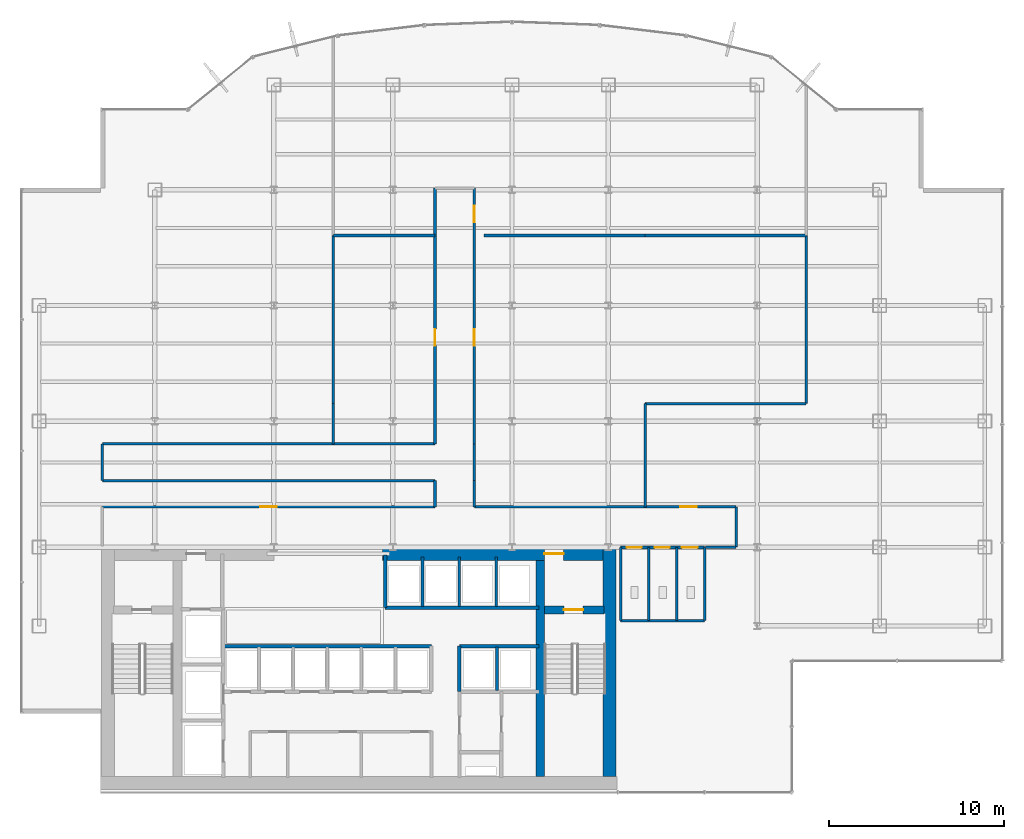
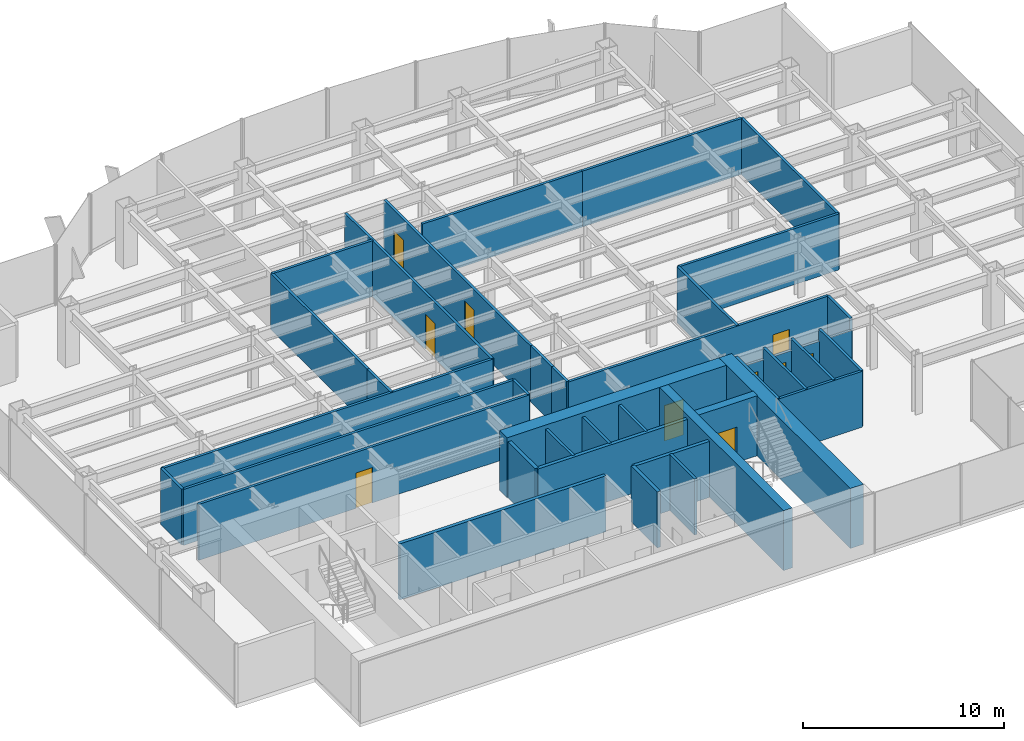
# One storey, part 22 of 26: 39 walls, 10 doors, 10 openings.
"""IFC4 building model written with IfcOpenShell, lengths in metres."""

from ifc_helpers import new_model, si_unit, derived_unit, direction, frame, frame_2d, origin, place, context, subcontext, project, spatial, rectangle, extrude, source, transform, mapped, material, layer, layer_set, type_object, element, fill, save


model = new_model("IFC4")

# Units and contexts
model_context = context("Model", 3, precision=1e-05, world=origin(), true_north=direction((0.0, 1.0)))
body_context = subcontext(model_context, "Body", "Model", "MODEL_VIEW")
ifc_project = project(units=[si_unit("LENGTHUNIT", "METRE"), si_unit("AREAUNIT", "SQUARE_METRE"), si_unit("VOLUMEUNIT", "CUBIC_METRE"), si_unit("PLANEANGLEUNIT", "RADIAN"), si_unit("MASSUNIT", "GRAM", prefix="KILO"), derived_unit("THERMALTRANSMITTANCEUNIT", [(si_unit("POWERUNIT", "WATT"), 1), (si_unit("LENGTHUNIT", "METRE"), -2), (si_unit("THERMODYNAMICTEMPERATUREUNIT", "KELVIN"), -1)])], contexts=[model_context])

# Site, building, storey
site_placement = place(None, origin())
site = spatial("IfcSite", under=ifc_project, at=site_placement, CompositionType="ELEMENT")
building_placement = place(site_placement, origin())
building = spatial("IfcBuilding", under=site, at=building_placement, Name="Skarnbrae Concourse Arena and Tower", CompositionType="ELEMENT")
storey_placement = place(building_placement, frame((0.0, 0.0, 114.199951171875)))
storey = spatial("IfcBuildingStorey", under=building, at=storey_placement, Name="L28", CompositionType="ELEMENT", Elevation=114.199951171875)

# Wall, opening, door
ifc_material_1 = material(Name="Concrete 50 MPa (C50/60)", Category="concrete")
ifc_layer_1 = layer(ifc_material_1, 0.449951171875)
ifc_layer_set_1 = layer_set([ifc_layer_1], Name="Concrete 50 MPa (C50/60)")
wall_type_1 = type_object("IfcWallType", Name="WALL-CORE-450-C50", PredefinedType="SHEAR", material=ifc_layer_set_1)
shared_shape_1 = source(origin(), body_context, "Body", "SweptSolid", [
    extrude(rectangle(XDim=3.389892578125, YDim=0.449951171875, at=frame_2d((1.69482421875, 0.0))), origin(), (0.0, 0.0, 1.0), 3.650146484375),
])
wall_1_placement = place(storey_placement, frame((29.860107421875, 10.419921875, 0.0), z_axis=(0.0, 0.0, 1.0), x_axis=(1.0, 0.0, 0.0)))
wall_1 = element("IfcWall", 1, at=wall_1_placement, inside=storey, type_object=wall_type_1, Name="L28 Rear core shear wall CW-ST2-N", PredefinedType="SHEAR", context=body_context, shape_type="MappedRepresentation", body=[
    mapped(shared_shape_1, transform((0.0, 0.0, 0.0))),
])
opening_1_placement = place(wall_1_placement, frame((1.10009765625, 0.0, 0.0)))
opening_1 = element("IfcOpeningElement", 2, at=opening_1_placement, cuts=wall_1, Name="Opening DT-03", PredefinedType="OPENING", context=body_context, shape_type="SweptSolid", body=[
    extrude(rectangle(XDim=1.10009765625, YDim=2.14990234375, at=frame_2d((0.550048828125, 1.074951171875))), frame((0.0, 0.23486328125, 0.0), z_axis=(0.0, -1.0, 0.0), x_axis=(1.0, 0.0, 0.0)), (0.0, 0.0, 1.0), 0.469970703125),
])
ifc_material_2 = material(Name="Steel CSA G40.21 350W", Category="steel")
door_type_1 = type_object("IfcDoorType", Name="DOOR-FIRE-1100-90M", OperationType="NOTDEFINED", PredefinedType="DOOR", material=ifc_material_2)
shared_shape_2 = source(origin(), body_context, "Body", "SweptSolid", [
    extrude(rectangle(XDim=1.10009765625, YDim=2.14990234375, at=frame_2d((0.550048828125, 1.074951171875))), frame((0.0, 0.02490234375, 0.0), z_axis=(0.0, -1.0, 0.0), x_axis=(1.0, 0.0, 0.0)), (0.0, 0.0, 1.0), 0.050048828125),
])
door_1_placement = place(opening_1_placement, frame((1.10009765625, 0.0, 0.0), z_axis=(0.0, 0.0, 1.0), x_axis=(-1.0, 0.0, 0.0)))
door_1 = element("IfcDoor", 3, at=door_1_placement, inside=storey, type_object=door_type_1, Name="D-0922 Stair ST-2 Door", OperationType="SINGLE_SWING_RIGHT", OverallHeight=2.14990234375, OverallWidth=1.10009765625, PredefinedType="DOOR", context=body_context, shape_type="MappedRepresentation", body=[
    mapped(shared_shape_2, transform((0.0, 0.0, 0.0))),
])
fill(opening_1, door_1)

# Wall
ifc_material_3 = material(Name="Concrete 60 MPa (C60/75)", Category="concrete")
ifc_layer_2 = layer(ifc_material_3, 0.75)
ifc_layer_set_2 = layer_set([ifc_layer_2], Name="Concrete 60 MPa (C60/75)")
wall_type_2 = type_object("IfcWallType", Name="WALL-CORE-750-C60", PredefinedType="SHEAR", material=ifc_layer_set_2)
shared_shape_3 = source(origin(), body_context, "Body", "SweptSolid", [
    extrude(rectangle(XDim=13.10009765625, YDim=0.75, at=frame_2d((6.550048828125, 0.0))), origin(), (0.0, 0.0, 1.0), 3.650146484375),
])
wall_2_placement = place(storey_placement, frame((33.574951171875, 0.89990234375, 0.0), z_axis=(0.0, 0.0, 1.0), x_axis=(0.0, 1.0, 0.0)))
element("IfcWall", 4, at=wall_2_placement, inside=storey, type_object=wall_type_2, Name="L28 Rear core shear wall CW-E", PredefinedType="SHEAR", context=body_context, shape_type="MappedRepresentation", body=[
    mapped(shared_shape_3, transform((0.0, 0.0, 0.0))),
])

# Wall, opening, door
shared_shape_4 = source(origin(), body_context, "Body", "SweptSolid", [
    extrude(rectangle(XDim=12.599853515625, YDim=0.75, at=frame_2d((6.2998046875, 0.0))), origin(), (0.0, 0.0, 1.0), 3.650146484375),
])
wall_3_placement = place(storey_placement, frame((20.60009765625, 13.625, 0.0), z_axis=(0.0, 0.0, 1.0), x_axis=(1.0, 0.0, 0.0)))
wall_3 = element("IfcWall", 5, at=wall_3_placement, inside=storey, type_object=wall_type_2, Name="L28 Rear core shear wall CW-NE", PredefinedType="SHEAR", context=body_context, shape_type="MappedRepresentation", body=[
    mapped(shared_shape_4, transform((0.0, 0.0, 0.0))),
])
opening_2_placement = place(wall_3_placement, frame((9.25, 0.0, 0.0)))
opening_2 = element("IfcOpeningElement", 6, at=opening_2_placement, cuts=wall_3, Name="Opening DT-03", PredefinedType="OPENING", context=body_context, shape_type="SweptSolid", body=[
    extrude(rectangle(XDim=1.10009765625, YDim=2.14990234375, at=frame_2d((0.550048828125, 1.074951171875))), frame((0.0, 0.385009765625, 0.0), z_axis=(0.0, -1.0, 0.0), x_axis=(1.0, 0.0, 0.0)), (0.0, 0.0, 1.0), 0.77001953125),
])
door_2_placement = place(opening_2_placement, origin())
door_2 = element("IfcDoor", 7, at=door_2_placement, inside=storey, type_object=door_type_1, Name="D-0924 Stair ST-2 Vestibule Door", OperationType="SINGLE_SWING_LEFT", OverallHeight=2.14990234375, OverallWidth=1.10009765625, PredefinedType="DOOR", context=body_context, shape_type="MappedRepresentation", body=[
    mapped(shared_shape_2, transform((0.0, 0.0, 0.0))),
])
fill(opening_2, door_2)

# Walls
ifc_layer_3 = layer(ifc_material_3, 0.5)
ifc_layer_set_3 = layer_set([ifc_layer_3], Name="Concrete 60 MPa (C60/75)")
wall_type_3 = type_object("IfcWallType", Name="WALL-CORE-500-C60", PredefinedType="SHEAR", material=ifc_layer_set_3)
shared_shape_5 = source(origin(), body_context, "Body", "SweptSolid", [
    extrude(rectangle(XDim=12.35009765625, YDim=0.5, at=frame_2d((6.175048828125, 0.0))), origin(), (0.0, 0.0, 1.0), 3.650146484375),
])
wall_4_placement = place(storey_placement, frame((29.610107421875, 0.89990234375, 0.0), z_axis=(0.0, 0.0, 1.0), x_axis=(0.0, 1.0, 0.0)))
element("IfcWall", 8, at=wall_4_placement, inside=storey, type_object=wall_type_3, Name="L28 Rear core shear wall CW-WEB-E", PredefinedType="SHEAR", context=body_context, shape_type="MappedRepresentation", body=[
    mapped(shared_shape_5, transform((0.0, 0.0, 0.0))),
])
ifc_material_4 = material(Name="Gypsum board on cold-formed steel studs", Category="steel")
ifc_layer_4 = layer(ifc_material_4, 0.199951171875)
ifc_layer_set_4 = layer_set([ifc_layer_4], Name="Gypsum board on cold-formed steel studs")
wall_type_4 = type_object("IfcWallType", Name="WALL-PART-200-2HR", PredefinedType="PARTITIONING", material=ifc_layer_set_4)
shared_shape_6 = source(origin(), body_context, "Body", "SweptSolid", [
    extrude(rectangle(XDim=11.849853515625, YDim=0.199951171875, at=frame_2d((5.9248046875, 0.0))), origin(), (0.0, 0.0, 1.0), 3.400146484375),
])
wall_5_placement = place(storey_placement, frame((11.550048828125, 8.35009765625, 0.0), z_axis=(0.0, 0.0, 1.0), x_axis=(1.0, 0.0, 0.0)))
element("IfcWall", 9, at=wall_5_placement, inside=storey, type_object=wall_type_4, Name="L28 Interior partition wall W-L28-B2-N", PredefinedType="PARTITIONING", context=body_context, shape_type="MappedRepresentation", body=[
    mapped(shared_shape_6, transform((0.0, 0.0, 0.0))),
])
shared_shape_7 = source(origin(), body_context, "Body", "SweptSolid", [
    extrude(rectangle(XDim=2.60009765625, YDim=0.199951171875, at=frame_2d((1.300048828125, 0.0))), origin(), (0.0, 0.0, 1.0), 3.400146484375),
])
wall_6_placement = place(storey_placement, frame((25.0, 5.75, 0.0), z_axis=(0.0, 0.0, 1.0), x_axis=(0.0, 1.0, 0.0)))
element("IfcWall", 10, at=wall_6_placement, inside=storey, type_object=wall_type_4, Name="L28 Interior partition wall W-L28-B3S-W", PredefinedType="PARTITIONING", context=body_context, shape_type="MappedRepresentation", body=[
    mapped(shared_shape_7, transform((0.0, 0.0, 0.0))),
])
ifc_layer_5 = layer(ifc_material_4, 0.14990234375)
ifc_layer_set_5 = layer_set([ifc_layer_5], Name="Gypsum board on cold-formed steel studs")
wall_type_5 = type_object("IfcWallType", Name="WALL-PART-150", PredefinedType="PARTITIONING", material=ifc_layer_set_5)
shared_shape_8 = source(origin(), body_context, "Body", "SweptSolid", [
    extrude(rectangle(XDim=2.5, YDim=0.14990234375, at=frame_2d((1.25, 0.0))), origin(), (0.0, 0.0, 1.0), 3.400146484375),
])
wall_7_placement = place(storey_placement, frame((27.139892578125, 5.800048828125, 0.0), z_axis=(0.0, 0.0, 1.0), x_axis=(0.0, 1.0, 0.0)))
element("IfcWall", 11, at=wall_7_placement, inside=storey, type_object=wall_type_5, Name="L28 Interior partition wall W-L28-B3S-P1", PredefinedType="PARTITIONING", context=body_context, shape_type="MappedRepresentation", body=[
    mapped(shared_shape_8, transform((0.0, 0.0, 0.0))),
])
shared_shape_9 = source(origin(), body_context, "Body", "SweptSolid", [
    extrude(rectangle(XDim=8.800048828125, YDim=0.199951171875, at=frame_2d((4.39990234375, 0.0))), origin(), (0.0, 0.0, 1.0), 3.400146484375),
])
wall_8_placement = place(storey_placement, frame((20.75, 10.550048828125, 0.0), z_axis=(0.0, 0.0, 1.0), x_axis=(1.0, 0.0, 0.0)))
element("IfcWall", 12, at=wall_8_placement, inside=storey, type_object=wall_type_4, Name="L28 Interior partition wall W-L28-B3N-S", PredefinedType="PARTITIONING", context=body_context, shape_type="MappedRepresentation", body=[
    mapped(shared_shape_9, transform((0.0, 0.0, 0.0))),
])
shared_shape_10 = source(origin(), body_context, "Body", "SweptSolid", [
    extrude(rectangle(XDim=3.0, YDim=0.199951171875, at=frame_2d((1.5, 0.0))), origin(), (0.0, 0.0, 1.0), 3.400146484375),
])
wall_9_placement = place(storey_placement, frame((20.75, 10.550048828125, 0.0), z_axis=(0.0, 0.0, 1.0), x_axis=(0.0, 1.0, 0.0)))
element("IfcWall", 13, at=wall_9_placement, inside=storey, type_object=wall_type_4, Name="L28 Interior partition wall W-L28-B3N-W", PredefinedType="PARTITIONING", context=body_context, shape_type="MappedRepresentation", body=[
    mapped(shared_shape_10, transform((0.0, 0.0, 0.0))),
])
shared_shape_11 = source(origin(), body_context, "Body", "SweptSolid", [
    extrude(rectangle(XDim=2.849853515625, YDim=0.14990234375, at=frame_2d((1.4248046875, 0.0))), origin(), (0.0, 0.0, 1.0), 3.400146484375),
])
for number, where, z_axis, x_axis, name in (
    (14, (22.889892578125, 10.60009765625, 0.0), (0.0, 0.0, 1.0), (0.0, 1.0, 0.0), "L28 Interior partition wall W-L28-B3N-P1"),
    (15, (24.989990234375, 10.60009765625, 0.0), (0.0, 0.0, 1.0), (0.0, 1.0, 0.0), "L28 Interior partition wall W-L28-B3N-P2"),
    (16, (27.090087890625, 10.60009765625, 0.0), (0.0, 0.0, 1.0), (0.0, 1.0, 0.0), "L28 Interior partition wall W-L28-B3N-P3"),
):
    element("IfcWall", number, at=place(storey_placement, frame(where, z_axis=z_axis, x_axis=x_axis)), inside=storey, type_object=wall_type_5, Name=name, PredefinedType="PARTITIONING", context=body_context, shape_type="MappedRepresentation", body=[
        mapped(shared_shape_11, transform((0.0, 0.0, 0.0))),
    ])
shared_shape_12 = source(origin(), body_context, "Body", "SweptSolid", [
    extrude(rectangle(XDim=4.550048828125, YDim=0.199951171875, at=frame_2d((2.27490234375, 0.0))), origin(), (0.0, 0.0, 1.0), 3.400146484375),
])
wall_10_placement = place(storey_placement, frame((25.0, 8.35009765625, 0.0), z_axis=(0.0, 0.0, 1.0), x_axis=(1.0, 0.0, 0.0)))
element("IfcWall", 17, at=wall_10_placement, inside=storey, type_object=wall_type_4, Name="L28 Interior partition wall W-L28-B3S-N", PredefinedType="PARTITIONING", context=body_context, shape_type="MappedRepresentation", body=[
    mapped(shared_shape_12, transform((0.0, 0.0, 0.0))),
])
shared_shape_13 = source(origin(), body_context, "Body", "SweptSolid", [
    extrude(rectangle(XDim=4.800048828125, YDim=0.14990234375, at=frame_2d((2.39990234375, 0.0))), origin(), (0.0, 0.0, 1.0), 3.400146484375),
])
wall_11_placement = place(storey_placement, frame((34.199951171875, 9.800048828125, 0.0), z_axis=(0.0, 0.0, 1.0), x_axis=(1.0, 0.0, 0.0)))
element("IfcWall", 18, at=wall_11_placement, inside=storey, type_object=wall_type_5, Name="L28 Interior partition wall W-L28-WC-S", PredefinedType="PARTITIONING", context=body_context, shape_type="MappedRepresentation", body=[
    mapped(shared_shape_13, transform((0.0, 0.0, 0.0))),
])
shared_shape_14 = source(origin(), body_context, "Body", "SweptSolid", [
    extrude(rectangle(XDim=4.179931640625, YDim=0.14990234375, at=frame_2d((2.08984375, 0.0))), origin(), (0.0, 0.0, 1.0), 3.400146484375),
])
for number, where, z_axis, x_axis, name in (
    (19, (39.0, 9.800048828125, 0.0), (0.0, 0.0, 1.0), (0.0, 1.0, 0.0), "L28 Interior partition wall W-L28-WC-E"),
    (20, (34.199951171875, 9.800048828125, 0.0), (0.0, 0.0, 1.0), (0.0, 1.0, 0.0), "L28 Interior partition wall W-L28-WC-W"),
    (21, (35.800048828125, 9.800048828125, 0.0), (0.0, 0.0, 1.0), (0.0, 1.0, 0.0), "L28 Interior partition wall W-L28-WC-D1"),
    (22, (37.39990234375, 9.800048828125, 0.0), (0.0, 0.0, 1.0), (0.0, 1.0, 0.0), "L28 Interior partition wall W-L28-WC-D2"),
):
    element("IfcWall", number, at=place(storey_placement, frame(where, z_axis=z_axis, x_axis=x_axis)), inside=storey, type_object=wall_type_5, Name=name, PredefinedType="PARTITIONING", context=body_context, shape_type="MappedRepresentation", body=[
        mapped(shared_shape_14, transform((0.0, 0.0, 0.0))),
    ])

# Wall, openings, doors
shared_shape_15 = source(origin(), body_context, "Body", "SweptSolid", [
    extrude(rectangle(XDim=4.800048828125, YDim=0.14990234375, at=frame_2d((2.39990234375, 0.0))), origin(), (0.0, 0.0, 1.0), 2.7021484375),
])
wall_12_placement = place(storey_placement, frame((34.199951171875, 13.97998046875, 0.0), z_axis=(0.0, 0.0, 1.0), x_axis=(1.0, 0.0, 0.0)))
wall_12 = element("IfcWall", 23, at=wall_12_placement, inside=storey, type_object=wall_type_5, Name="L28 Interior partition wall W-L28-WC-N", PredefinedType="PARTITIONING", context=body_context, shape_type="MappedRepresentation", body=[
    mapped(shared_shape_15, transform((0.0, 0.0, 0.0))),
])
opening_3_placement = place(wall_12_placement, frame((0.35009765625, 0.0, 0.0)))
opening_3 = element("IfcOpeningElement", 24, at=opening_3_placement, cuts=wall_12, Name="Opening DT-06", PredefinedType="OPENING", context=body_context, shape_type="SweptSolid", body=[
    extrude(rectangle(XDim=0.85009765625, YDim=2.10009765625, at=frame_2d((0.425048828125, 1.050048828125))), frame((0.0, 0.0849609375, 0.0), z_axis=(0.0, -1.0, 0.0), x_axis=(1.0, 0.0, 0.0)), (0.0, 0.0, 1.0), 0.169921875),
])
opening_4_placement = place(wall_12_placement, frame((1.949951171875, 0.0, 0.0)))
opening_4 = element("IfcOpeningElement", 25, at=opening_4_placement, cuts=wall_12, Name="Opening DT-06", PredefinedType="OPENING", context=body_context, shape_type="SweptSolid", body=[
    extrude(rectangle(XDim=0.85009765625, YDim=2.10009765625, at=frame_2d((0.425048828125, 1.050048828125))), frame((0.0, 0.0849609375, 0.0), z_axis=(0.0, -1.0, 0.0), x_axis=(1.0, 0.0, 0.0)), (0.0, 0.0, 1.0), 0.169921875),
])
opening_5_placement = place(wall_12_placement, frame((3.5, 0.0, 0.0)))
opening_5 = element("IfcOpeningElement", 26, at=opening_5_placement, cuts=wall_12, Name="Opening DT-05", PredefinedType="OPENING", context=body_context, shape_type="SweptSolid", body=[
    extrude(rectangle(XDim=0.89990234375, YDim=2.10009765625, at=frame_2d((0.449951171875, 1.050048828125))), frame((0.0, 0.0849609375, 0.0), z_axis=(0.0, -1.0, 0.0), x_axis=(1.0, 0.0, 0.0)), (0.0, 0.0, 1.0), 0.169921875),
])
ifc_material_5 = material(Name="Architectural oak veneer timber leaf", Category="wood")
door_type_2 = type_object("IfcDoorType", Name="DOOR-INT-850", OperationType="NOTDEFINED", PredefinedType="DOOR", material=ifc_material_5)
shared_shape_16 = source(origin(), body_context, "Body", "SweptSolid", [
    extrude(rectangle(XDim=0.85009765625, YDim=2.10009765625, at=frame_2d((0.425048828125, 1.050048828125))), frame((0.0, 0.02490234375, 0.0), z_axis=(0.0, -1.0, 0.0), x_axis=(1.0, 0.0, 0.0)), (0.0, 0.0, 1.0), 0.050048828125),
])
door_3_placement = place(opening_3_placement, frame((0.85009765625, 0.0, 0.0), z_axis=(0.0, 0.0, 1.0), x_axis=(-1.0, 0.0, 0.0)))
door_3 = element("IfcDoor", 27, at=door_3_placement, inside=storey, type_object=door_type_2, Name="D-0939 Male Washroom Door", OperationType="SINGLE_SWING_LEFT", OverallHeight=2.10009765625, OverallWidth=0.85009765625, PredefinedType="DOOR", context=body_context, shape_type="MappedRepresentation", body=[
    mapped(shared_shape_16, transform((0.0, 0.0, 0.0))),
])
fill(opening_3, door_3)
door_4_placement = place(opening_4_placement, frame((0.85009765625, 0.0, 0.0), z_axis=(0.0, 0.0, 1.0), x_axis=(-1.0, 0.0, 0.0)))
door_4 = element("IfcDoor", 28, at=door_4_placement, inside=storey, type_object=door_type_2, Name="D-0940 Female Washroom Door", OperationType="SINGLE_SWING_RIGHT", OverallHeight=2.10009765625, OverallWidth=0.85009765625, PredefinedType="DOOR", context=body_context, shape_type="MappedRepresentation", body=[
    mapped(shared_shape_16, transform((0.0, 0.0, 0.0))),
])
fill(opening_4, door_4)
door_type_3 = type_object("IfcDoorType", Name="DOOR-INT-900", OperationType="NOTDEFINED", PredefinedType="DOOR", material=ifc_material_5)
shared_shape_17 = source(origin(), body_context, "Body", "SweptSolid", [
    extrude(rectangle(XDim=0.89990234375, YDim=2.10009765625, at=frame_2d((0.449951171875, 1.050048828125))), frame((0.0, 0.02490234375, 0.0), z_axis=(0.0, -1.0, 0.0), x_axis=(1.0, 0.0, 0.0)), (0.0, 0.0, 1.0), 0.050048828125),
])
door_5_placement = place(opening_5_placement, frame((0.89990234375, 0.0, 0.0), z_axis=(0.0, 0.0, 1.0), x_axis=(-1.0, 0.0, 0.0)))
door_5 = element("IfcDoor", 29, at=door_5_placement, inside=storey, type_object=door_type_3, Name="D-0941 Accessible WC Door", OperationType="SINGLE_SWING_LEFT", OverallHeight=2.10009765625, OverallWidth=0.89990234375, PredefinedType="DOOR", context=body_context, shape_type="MappedRepresentation", body=[
    mapped(shared_shape_17, transform((0.0, 0.0, 0.0))),
])
fill(opening_5, door_5)

# Walls
ifc_layer_6 = layer(ifc_material_4, 0.14990234375)
ifc_layer_set_6 = layer_set([ifc_layer_6], Name="Gypsum board on cold-formed steel studs")
wall_type_6 = type_object("IfcWallType", Name="WALL-PART-150-1HR", PredefinedType="PARTITIONING", material=ifc_layer_set_6)
shared_shape_18 = source(origin(), body_context, "Body", "SweptSolid", [
    extrude(rectangle(XDim=2.300048828125, YDim=0.14990234375, at=frame_2d((1.14990234375, 0.0))), origin(), (0.0, 0.0, 1.0), 3.400146484375),
])
wall_13_placement = place(storey_placement, frame((40.800048828125, 16.300048828125, 0.0), z_axis=(0.0, 0.0, 1.0), x_axis=(0.0, -1.0, 0.0)))
element("IfcWall", 30, at=wall_13_placement, inside=storey, type_object=wall_type_6, Name="L28 Interior partition wall W-L28-COR-13", PredefinedType="PARTITIONING", context=body_context, shape_type="MappedRepresentation", body=[
    mapped(shared_shape_18, transform((0.0, 0.0, 0.0))),
])
wall_14_placement = place(storey_placement, frame((17.800048828125, 22.199951171875, 0.0), z_axis=(0.0, 0.0, 1.0), x_axis=(0.0, -1.0, 0.0)))
element("IfcWall", 31, at=wall_14_placement, inside=storey, type_object=wall_type_5, Name="L28 Interior partition wall W-L28-DEM-16", PredefinedType="PARTITIONING", context=body_context, shape_type="MappedRepresentation", body=[
    mapped(shared_shape_18, transform((0.0, 0.0, 0.0))),
])
shared_shape_19 = source(origin(), body_context, "Body", "SweptSolid", [
    extrude(rectangle(XDim=1.75, YDim=0.14990234375, at=frame_2d((0.875, 0.0))), origin(), (0.0, 0.0, 1.0), 2.7021484375),
])
wall_15_placement = place(storey_placement, frame((40.800048828125, 14.0, 0.0), z_axis=(0.0, 0.0, 1.0), x_axis=(-1.0, 0.0, 0.0)))
element("IfcWall", 32, at=wall_15_placement, inside=storey, type_object=wall_type_6, Name="L28 Interior partition wall W-L28-COR-14", PredefinedType="PARTITIONING", context=body_context, shape_type="MappedRepresentation", body=[
    mapped(shared_shape_19, transform((0.0, 0.0, 0.0))),
])

# Wall, opening, door
shared_shape_20 = source(origin(), body_context, "Body", "SweptSolid", [
    extrude(rectangle(XDim=19.0, YDim=0.14990234375, at=frame_2d((9.5, 0.0))), origin(), (0.0, 0.0, 1.0), 3.400146484375),
])
wall_16_placement = place(storey_placement, frame((4.60009765625, 16.300048828125, 0.0), z_axis=(0.0, 0.0, 1.0), x_axis=(1.0, 0.0, 0.0)))
wall_16 = element("IfcWall", 33, at=wall_16_placement, inside=storey, type_object=wall_type_6, Name="L28 Interior partition wall W-L28-COR-02", PredefinedType="PARTITIONING", context=body_context, shape_type="MappedRepresentation", body=[
    mapped(shared_shape_20, transform((0.0, 0.0, 0.0))),
])
opening_6_placement = place(wall_16_placement, frame((9.02490234375, 0.0, 0.0)))
opening_6 = element("IfcOpeningElement", 34, at=opening_6_placement, cuts=wall_16, Name="Opening DT-04", PredefinedType="OPENING", context=body_context, shape_type="SweptSolid", body=[
    extrude(rectangle(XDim=0.949951171875, YDim=2.14990234375, at=frame_2d((0.47509765625, 1.074951171875))), frame((0.0, 0.0849609375, 0.0), z_axis=(0.0, -1.0, 0.0), x_axis=(1.0, 0.0, 0.0)), (0.0, 0.0, 1.0), 0.169921875),
])
door_type_4 = type_object("IfcDoorType", Name="DOOR-INT-950-45M", OperationType="NOTDEFINED", PredefinedType="DOOR", material=ifc_material_2)
shared_shape_21 = source(origin(), body_context, "Body", "SweptSolid", [
    extrude(rectangle(XDim=0.949951171875, YDim=2.14990234375, at=frame_2d((0.47509765625, 1.074951171875))), frame((0.0, 0.02490234375, 0.0), z_axis=(0.0, -1.0, 0.0), x_axis=(1.0, 0.0, 0.0)), (0.0, 0.0, 1.0), 0.050048828125),
])
door_6_placement = place(opening_6_placement, origin())
door_6 = element("IfcDoor", 35, at=door_6_placement, inside=storey, type_object=door_type_4, Name="D-0942 L28 Suite Door 01", OperationType="SINGLE_SWING_RIGHT", OverallHeight=2.14990234375, OverallWidth=0.949951171875, PredefinedType="DOOR", context=body_context, shape_type="MappedRepresentation", body=[
    mapped(shared_shape_21, transform((0.0, 0.0, 0.0))),
])
fill(opening_6, door_6)

# Walls
for number, where, z_axis, x_axis, name in (
    (36, (23.60009765625, 17.800048828125, 0.0), (0.0, 0.0, 1.0), (-1.0, 0.0, 0.0), "L28 Interior partition wall W-L28-COR-04"),
    (37, (4.60009765625, 19.89990234375, 0.0), (0.0, 0.0, 1.0), (1.0, 0.0, 0.0), "L28 Interior partition wall W-L28-COR-06"),
):
    element("IfcWall", number, at=place(storey_placement, frame(where, z_axis=z_axis, x_axis=x_axis)), inside=storey, type_object=wall_type_6, Name=name, PredefinedType="PARTITIONING", context=body_context, shape_type="MappedRepresentation", body=[
        mapped(shared_shape_20, transform((0.0, 0.0, 0.0))),
    ])
shared_shape_22 = source(origin(), body_context, "Body", "SweptSolid", [
    extrude(rectangle(XDim=1.5, YDim=0.14990234375, at=frame_2d((0.75, 0.0))), origin(), (0.0, 0.0, 1.0), 3.400146484375),
])
for number, where, z_axis, x_axis, name in (
    (38, (23.60009765625, 16.300048828125, 0.0), (0.0, 0.0, 1.0), (0.0, 1.0, 0.0), "L28 Interior partition wall W-L28-COR-03"),
    (39, (25.85009765625, 17.800048828125, 0.0), (0.0, 0.0, 1.0), (0.0, -1.0, 0.0), "L28 Interior partition wall W-L28-COR-11"),
):
    element("IfcWall", number, at=place(storey_placement, frame(where, z_axis=z_axis, x_axis=x_axis)), inside=storey, type_object=wall_type_6, Name=name, PredefinedType="PARTITIONING", context=body_context, shape_type="MappedRepresentation", body=[
        mapped(shared_shape_22, transform((0.0, 0.0, 0.0))),
    ])
shared_shape_23 = source(origin(), body_context, "Body", "SweptSolid", [
    extrude(rectangle(XDim=2.099853515625, YDim=0.14990234375, at=frame_2d((1.0498046875, 0.0))), origin(), (0.0, 0.0, 1.0), 3.400146484375),
])
for number, where, z_axis, x_axis, name in (
    (40, (4.60009765625, 17.800048828125, 0.0), (0.0, 0.0, 1.0), (0.0, 1.0, 0.0), "L28 Interior partition wall W-L28-COR-05"),
    (41, (25.85009765625, 19.89990234375, 0.0), (0.0, 0.0, 1.0), (0.0, -1.0, 0.0), "L28 Interior partition wall W-L28-COR-10"),
):
    element("IfcWall", number, at=place(storey_placement, frame(where, z_axis=z_axis, x_axis=x_axis)), inside=storey, type_object=wall_type_6, Name=name, PredefinedType="PARTITIONING", context=body_context, shape_type="MappedRepresentation", body=[
        mapped(shared_shape_23, transform((0.0, 0.0, 0.0))),
    ])

# Wall, opening, door
shared_shape_24 = source(origin(), body_context, "Body", "SweptSolid", [
    extrude(rectangle(XDim=14.60009765625, YDim=0.14990234375, at=frame_2d((7.300048828125, 0.0))), origin(), (0.0, 0.0, 1.0), 3.400146484375),
])
wall_17_placement = place(storey_placement, frame((23.60009765625, 19.89990234375, 0.0), z_axis=(0.0, 0.0, 1.0), x_axis=(0.0, 1.0, 0.0)))
wall_17 = element("IfcWall", 42, at=wall_17_placement, inside=storey, type_object=wall_type_6, Name="L28 Interior partition wall W-L28-COR-07", PredefinedType="PARTITIONING", context=body_context, shape_type="MappedRepresentation", body=[
    mapped(shared_shape_24, transform((0.0, 0.0, 0.0))),
])
opening_7_placement = place(wall_17_placement, frame((5.60498046875, 0.0, 0.0)))
opening_7 = element("IfcOpeningElement", 43, at=opening_7_placement, cuts=wall_17, Name="Opening DT-04", PredefinedType="OPENING", context=body_context, shape_type="SweptSolid", body=[
    extrude(rectangle(XDim=0.949951171875, YDim=2.14990234375, at=frame_2d((0.47509765625, 1.074951171875))), frame((0.0, 0.0849609375, 0.0), z_axis=(0.0, -1.0, 0.0), x_axis=(1.0, 0.0, 0.0)), (0.0, 0.0, 1.0), 0.169921875),
])
door_7_placement = place(opening_7_placement, origin())
door_7 = element("IfcDoor", 44, at=door_7_placement, inside=storey, type_object=door_type_4, Name="D-0943 L28 Suite Door 02", OperationType="SINGLE_SWING_LEFT", OverallHeight=2.14990234375, OverallWidth=0.949951171875, PredefinedType="DOOR", context=body_context, shape_type="MappedRepresentation", body=[
    mapped(shared_shape_21, transform((0.0, 0.0, 0.0))),
])
fill(opening_7, door_7)

# Wall, openings, doors
wall_18_placement = place(storey_placement, frame((25.85009765625, 34.5, 0.0), z_axis=(0.0, 0.0, 1.0), x_axis=(0.0, -1.0, 0.0)))
wall_18 = element("IfcWall", 45, at=wall_18_placement, inside=storey, type_object=wall_type_6, Name="L28 Interior partition wall W-L28-COR-09", PredefinedType="PARTITIONING", context=body_context, shape_type="MappedRepresentation", body=[
    mapped(shared_shape_24, transform((0.0, 0.0, 0.0))),
])
opening_8_placement = place(wall_18_placement, frame((1.0048828125, 0.0, 0.0)))
opening_8 = element("IfcOpeningElement", 46, at=opening_8_placement, cuts=wall_18, Name="Opening DT-04", PredefinedType="OPENING", context=body_context, shape_type="SweptSolid", body=[
    extrude(rectangle(XDim=0.949951171875, YDim=2.14990234375, at=frame_2d((0.47509765625, 1.074951171875))), frame((0.0, 0.0849609375, 0.0), z_axis=(0.0, -1.0, 0.0), x_axis=(1.0, 0.0, 0.0)), (0.0, 0.0, 1.0), 0.169921875),
])
opening_9_placement = place(wall_18_placement, frame((8.044921875, 0.0, 0.0)))
opening_9 = element("IfcOpeningElement", 47, at=opening_9_placement, cuts=wall_18, Name="Opening DT-04", PredefinedType="OPENING", context=body_context, shape_type="SweptSolid", body=[
    extrude(rectangle(XDim=0.949951171875, YDim=2.14990234375, at=frame_2d((0.47509765625, 1.074951171875))), frame((0.0, 0.0849609375, 0.0), z_axis=(0.0, -1.0, 0.0), x_axis=(1.0, 0.0, 0.0)), (0.0, 0.0, 1.0), 0.169921875),
])
door_8_placement = place(opening_8_placement, origin())
door_8 = element("IfcDoor", 48, at=door_8_placement, inside=storey, type_object=door_type_4, Name="D-0944 L28 Suite Door 03", OperationType="SINGLE_SWING_RIGHT", OverallHeight=2.14990234375, OverallWidth=0.949951171875, PredefinedType="DOOR", context=body_context, shape_type="MappedRepresentation", body=[
    mapped(shared_shape_21, transform((0.0, 0.0, 0.0))),
])
fill(opening_8, door_8)
door_9_placement = place(opening_9_placement, origin())
door_9 = element("IfcDoor", 49, at=door_9_placement, inside=storey, type_object=door_type_4, Name="D-0945 L28 Suite Door 04", OperationType="SINGLE_SWING_LEFT", OverallHeight=2.14990234375, OverallWidth=0.949951171875, PredefinedType="DOOR", context=body_context, shape_type="MappedRepresentation", body=[
    mapped(shared_shape_21, transform((0.0, 0.0, 0.0))),
])
fill(opening_9, door_9)

# Wall, opening, door
shared_shape_25 = source(origin(), body_context, "Body", "SweptSolid", [
    extrude(rectangle(XDim=14.949951171875, YDim=0.14990234375, at=frame_2d((7.47509765625, 0.0))), origin(), (0.0, 0.0, 1.0), 3.400146484375),
])
wall_19_placement = place(storey_placement, frame((25.85009765625, 16.300048828125, 0.0), z_axis=(0.0, 0.0, 1.0), x_axis=(1.0, 0.0, 0.0)))
wall_19 = element("IfcWall", 50, at=wall_19_placement, inside=storey, type_object=wall_type_6, Name="L28 Interior partition wall W-L28-COR-12", PredefinedType="PARTITIONING", context=body_context, shape_type="MappedRepresentation", body=[
    mapped(shared_shape_25, transform((0.0, 0.0, 0.0))),
])
opening_10_placement = place(wall_19_placement, frame((11.7451171875, 0.0, 0.0)))
opening_10 = element("IfcOpeningElement", 51, at=opening_10_placement, cuts=wall_19, Name="Opening DT-04", PredefinedType="OPENING", context=body_context, shape_type="SweptSolid", body=[
    extrude(rectangle(XDim=0.949951171875, YDim=2.14990234375, at=frame_2d((0.47509765625, 1.074951171875))), frame((0.0, 0.0849609375, 0.0), z_axis=(0.0, -1.0, 0.0), x_axis=(1.0, 0.0, 0.0)), (0.0, 0.0, 1.0), 0.169921875),
])
door_10_placement = place(opening_10_placement, origin())
door_10 = element("IfcDoor", 52, at=door_10_placement, inside=storey, type_object=door_type_4, Name="D-0946 L28 Suite Door 05", OperationType="SINGLE_SWING_RIGHT", OverallHeight=2.14990234375, OverallWidth=0.949951171875, PredefinedType="DOOR", context=body_context, shape_type="MappedRepresentation", body=[
    mapped(shared_shape_21, transform((0.0, 0.0, 0.0))),
])
fill(opening_10, door_10)

# Walls
shared_shape_26 = source(origin(), body_context, "Body", "SweptSolid", [
    extrude(rectangle(XDim=9.60009765625, YDim=0.14990234375, at=frame_2d((4.800048828125, 0.0))), origin(), (0.0, 0.0, 1.0), 3.400146484375),
])
for number, where, z_axis, x_axis, name in (
    (53, (17.800048828125, 31.800048828125, 0.0), (0.0, 0.0, 1.0), (0.0, -1.0, 0.0), "L28 Interior partition wall W-L28-DEM-15"),
    (54, (44.800048828125, 31.800048828125, 0.0), (0.0, 0.0, 1.0), (0.0, -1.0, 0.0), "L28 Interior partition wall W-L28-DEM-21"),
):
    element("IfcWall", number, at=place(storey_placement, frame(where, z_axis=z_axis, x_axis=x_axis)), inside=storey, type_object=wall_type_5, Name=name, PredefinedType="PARTITIONING", context=body_context, shape_type="MappedRepresentation", body=[
        mapped(shared_shape_26, transform((0.0, 0.0, 0.0))),
    ])
shared_shape_27 = source(origin(), body_context, "Body", "SweptSolid", [
    extrude(rectangle(XDim=5.800048828125, YDim=0.14990234375, at=frame_2d((2.89990234375, 0.0))), origin(), (0.0, 0.0, 1.0), 3.400146484375),
])
wall_20_placement = place(storey_placement, frame((17.800048828125, 31.800048828125, 0.0), z_axis=(0.0, 0.0, 1.0), x_axis=(1.0, 0.0, 0.0)))
element("IfcWall", 55, at=wall_20_placement, inside=storey, type_object=wall_type_5, Name="L28 Interior partition wall W-L28-DEM-17", PredefinedType="PARTITIONING", context=body_context, shape_type="MappedRepresentation", body=[
    mapped(shared_shape_27, transform((0.0, 0.0, 0.0))),
])
shared_shape_28 = source(origin(), body_context, "Body", "SweptSolid", [
    extrude(rectangle(XDim=9.199951171875, YDim=0.14990234375, at=frame_2d((4.60009765625, 0.0))), origin(), (0.0, 0.0, 1.0), 3.400146484375),
])
for number, where, z_axis, x_axis, name in (
    (56, (44.800048828125, 31.800048828125, 0.0), (0.0, 0.0, 1.0), (-1.0, 0.0, 0.0), "L28 Interior partition wall W-L28-DEM-19"),
    (57, (44.800048828125, 22.199951171875, 0.0), (0.0, 0.0, 1.0), (-1.0, 0.0, 0.0), "L28 Interior partition wall W-L28-DEM-22"),
):
    element("IfcWall", number, at=place(storey_placement, frame(where, z_axis=z_axis, x_axis=x_axis)), inside=storey, type_object=wall_type_5, Name=name, PredefinedType="PARTITIONING", context=body_context, shape_type="MappedRepresentation", body=[
        mapped(shared_shape_28, transform((0.0, 0.0, 0.0))),
    ])
shared_shape_29 = source(origin(), body_context, "Body", "SweptSolid", [
    extrude(rectangle(XDim=9.2001953125, YDim=0.14990234375, at=frame_2d((4.60009765625, 0.0))), origin(), (0.0, 0.0, 1.0), 3.400146484375),
])
wall_21_placement = place(storey_placement, frame((35.60009765625, 31.800048828125, 0.0), z_axis=(0.0, 0.0, 1.0), x_axis=(-1.0, 0.0, 0.0)))
element("IfcWall", 58, at=wall_21_placement, inside=storey, type_object=wall_type_5, Name="L28 Interior partition wall W-L28-DEM-20", PredefinedType="PARTITIONING", context=body_context, shape_type="MappedRepresentation", body=[
    mapped(shared_shape_29, transform((0.0, 0.0, 0.0))),
])
shared_shape_30 = source(origin(), body_context, "Body", "SweptSolid", [
    extrude(rectangle(XDim=5.89990234375, YDim=0.14990234375, at=frame_2d((2.949951171875, 0.0))), origin(), (0.0, 0.0, 1.0), 3.400146484375),
])
wall_22_placement = place(storey_placement, frame((35.60009765625, 22.199951171875, 0.0), z_axis=(0.0, 0.0, 1.0), x_axis=(0.0, -1.0, 0.0)))
element("IfcWall", 59, at=wall_22_placement, inside=storey, type_object=wall_type_5, Name="L28 Interior partition wall W-L28-DEM-23", PredefinedType="PARTITIONING", context=body_context, shape_type="MappedRepresentation", body=[
    mapped(shared_shape_30, transform((0.0, 0.0, 0.0))),
])

save(model, "model.ifc")
